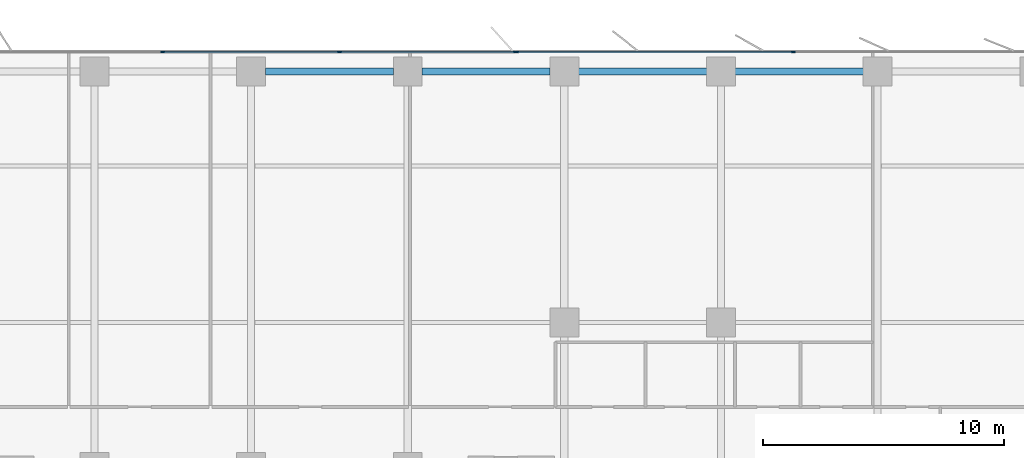
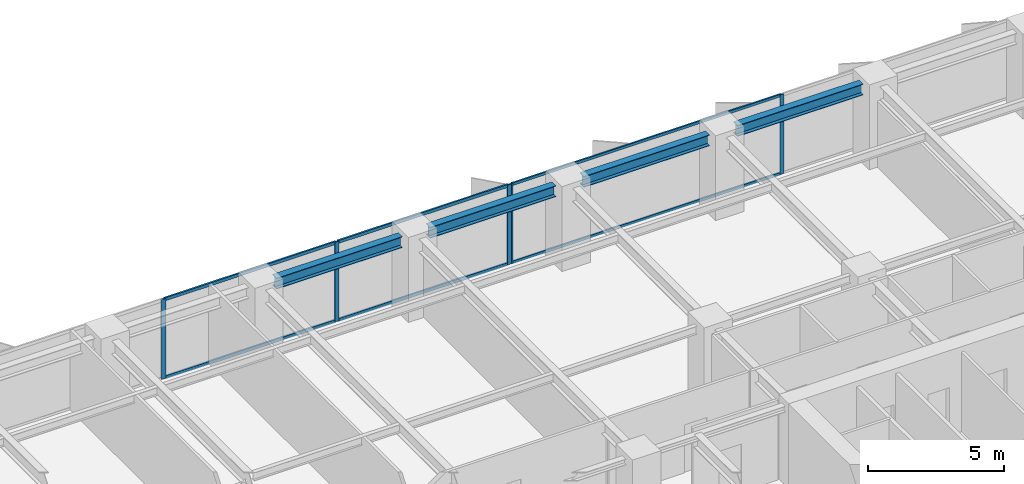
# One storey, part 9 of 20: 11 members, 4 beams, 2 elements without a shape of their own.
"""IFC4 building model written with IfcOpenShell, lengths in metres."""

from ifc_helpers import new_model, si_unit, direction, frame, origin, origin_2d, place, context, subcontext, project, spatial, rectangle, i_section, extrude, material, layer, layer_set, material_profile, profile_set, type_object, element, aggregate, save


model = new_model("IFC4")

# Units and contexts
model_context = context("Model", 3, precision=1e-05, world=origin(), true_north=direction((0.0, 1.0)))
body_context = subcontext(model_context, "Body", "Model", "MODEL_VIEW")
ifc_project = project(units=[si_unit("LENGTHUNIT", "METRE"), si_unit("AREAUNIT", "SQUARE_METRE"), si_unit("VOLUMEUNIT", "CUBIC_METRE"), si_unit("PLANEANGLEUNIT", "RADIAN"), si_unit("MASSUNIT", "GRAM", prefix="KILO")], contexts=[model_context])

# Site, building, storey
site_placement = place(None, origin())
site = spatial("IfcSite", under=ifc_project, at=site_placement, CompositionType="ELEMENT")
building_placement = place(site_placement, origin())
building = spatial("IfcBuilding", under=site, at=building_placement, Name="Putna Gate Headquarters", CompositionType="ELEMENT")
storey_placement = place(building_placement, frame((0.0, 0.0, 131.60009765625)))
storey = spatial("IfcBuildingStorey", under=building, at=storey_placement, Name="L32", CompositionType="ELEMENT", Elevation=131.60009765625)

# Beams
ifc_material_1 = material(Name="Steel S355J2", Category="steel")
ifc_material_profile_1 = material_profile(ifc_material_1, i_section(OverallWidth=0.300048828125, OverallDepth=0.489990234375, WebThickness=0.011962890625, FlangeThickness=0.02294921875, at=origin_2d()), Name="Steel S355J2")
ifc_profile_set_1 = profile_set([ifc_material_profile_1], Name="Steel S355J2")
beam_type = type_object("IfcBeamType", Name="BM-SPAN-Z2-HEA500", PredefinedType="SPANDREL", material=ifc_profile_set_1)
for number, where, z_axis, x_axis, name in (
    (1, (39.587890625, 49.419921875, 3.31982421875), (1.0, 0.0, 0.0), (0.0, 1.0, 0.0), "L32 N Perimeter Spandrel 6"),
    (2, (46.087890625, 49.419921875, 3.31982421875), (1.0, 0.0, 0.0), (0.0, 1.0, 0.0), "L32 N Perimeter Spandrel 7"),
    (3, (52.587890625, 49.419921875, 3.31982421875), (1.0, 0.0, 0.0), (0.0, 1.0, 0.0), "L32 N Perimeter Spandrel 8"),
    (4, (59.087890625, 49.419921875, 3.31982421875), (1.0, 0.0, 0.0), (0.0, 1.0, 0.0), "L32 N Perimeter Spandrel 9"),
):
    element("IfcBeam", number, at=place(storey_placement, frame(where, z_axis=z_axis, x_axis=x_axis)), inside=storey, type_object=beam_type, Name=name, PredefinedType="SPANDREL", context=body_context, shape_type="SweptSolid", body=[
        extrude(i_section(OverallWidth=0.300048828125, OverallDepth=0.489990234375, WebThickness=0.011962890625, FlangeThickness=0.02294921875, at=origin_2d()), origin(), (0.0, 0.0, 1.0), 5.32421875),
    ])

# Curtain wall, members
ifc_material_2 = material(Name="Anodised bronze aluminium curtain wall", Category="aluminium")
ifc_layer_1 = layer(ifc_material_2, 0.159912109375)
ifc_layer_set_1 = layer_set([ifc_layer_1], Name="Anodised bronze aluminium curtain wall")
curtain_wall_type_1 = type_object("IfcCurtainWallType", Name="CW-SYS-Z2", PredefinedType="USERDEFINED", material=ifc_layer_set_1)
curtain_wall_1_placement = place(storey_placement, origin())
curtain_wall_1 = element("IfcCurtainWall", 5, at=curtain_wall_1_placement, inside=storey, type_object=curtain_wall_type_1, Name="L32 North East Curtain Wall", ObjectType="STICK CURTAIN WALL", PredefinedType="USERDEFINED")
ifc_material_3 = material(Name="Anodised bronze aluminium EN AW-6060", Category="aluminium")
ifc_material_profile_2 = material_profile(ifc_material_3, rectangle(XDim=0.06494140625, YDim=0.159912109375, at=origin_2d()), Name="Anodised bronze aluminium EN AW-6060")
ifc_profile_set_2 = profile_set([ifc_material_profile_2], Name="Anodised bronze aluminium EN AW-6060")
member_type_1 = type_object("IfcMemberType", Name="MULL-CWM-2", PredefinedType="MULLION", material=ifc_profile_set_2)
member_1_placement = place(storey_placement, frame((50.032470703125, 50.219970703125, 0.0), z_axis=(0.0, 0.0, 1.0), x_axis=(0.0, 1.0, 0.0)))
member_1 = element("IfcMember", 6, at=member_1_placement, type_object=member_type_1, Name="CWS-2 mullion 1", PredefinedType="MULLION", context=body_context, shape_type="SweptSolid", body=[
    extrude(rectangle(XDim=0.06494140625, YDim=0.159912109375, at=origin_2d()), origin(), (0.0, 0.0, 1.0), 3.56494140625),
])
member_2_placement = place(storey_placement, frame((61.5, 50.219970703125, 0.0), z_axis=(0.0, 0.0, 1.0), x_axis=(0.0, 1.0, 0.0)))
member_2 = element("IfcMember", 7, at=member_2_placement, type_object=member_type_1, Name="CWS-2 mullion 2", PredefinedType="MULLION", context=body_context, shape_type="SweptSolid", body=[
    extrude(rectangle(XDim=0.06494140625, YDim=0.159912109375, at=origin_2d()), origin(), (0.0, 0.0, 1.0), 3.56494140625),
])

ifc_layer_2 = layer(ifc_material_2, 0.179931640625)
ifc_layer_set_2 = layer_set([ifc_layer_2], Name="Anodised bronze aluminium curtain wall")
curtain_wall_type_2 = type_object("IfcCurtainWallType", Name="CW-SYS-ATR", PredefinedType="USERDEFINED", material=ifc_layer_set_2)
curtain_wall_2_placement = place(storey_placement, origin())
curtain_wall_2 = element("IfcCurtainWall", 8, at=curtain_wall_2_placement, inside=storey, type_object=curtain_wall_type_2, Name="L32 North Atrium Clear Glazing", ObjectType="ATRIUM GLAZING", PredefinedType="USERDEFINED")
ifc_material_profile_3 = material_profile(ifc_material_3, rectangle(XDim=0.070068359375, YDim=0.179931640625, at=origin_2d()), Name="Anodised bronze aluminium EN AW-6060")
ifc_profile_set_3 = profile_set([ifc_material_profile_3], Name="Anodised bronze aluminium EN AW-6060")
member_type_2 = type_object("IfcMemberType", Name="MULL-CWM-AT", PredefinedType="MULLION", material=ifc_profile_set_3)
member_3_placement = place(storey_placement, frame((35.333251953125, 50.219970703125, 0.0), z_axis=(0.0, 0.0, 1.0), x_axis=(0.0, 1.0, 0.0)))
member_3 = element("IfcMember", 9, at=member_3_placement, type_object=member_type_2, Name="CWS-AT mullion 2", PredefinedType="MULLION", context=body_context, shape_type="SweptSolid", body=[
    extrude(rectangle(XDim=0.070068359375, YDim=0.179931640625, at=origin_2d()), origin(), (0.0, 0.0, 1.0), 3.56494140625),
])
member_4_placement = place(storey_placement, frame((42.666748046875, 50.219970703125, 0.0), z_axis=(0.0, 0.0, 1.0), x_axis=(0.0, 1.0, 0.0)))
member_4 = element("IfcMember", 10, at=member_4_placement, type_object=member_type_2, Name="CWS-AT mullion 3", PredefinedType="MULLION", context=body_context, shape_type="SweptSolid", body=[
    extrude(rectangle(XDim=0.070068359375, YDim=0.179931640625, at=origin_2d()), origin(), (0.0, 0.0, 1.0), 3.56494140625),
])
member_5_placement = place(storey_placement, frame((49.965087890625, 50.219970703125, 0.0), z_axis=(0.0, 0.0, 1.0), x_axis=(0.0, 1.0, 0.0)))
member_5 = element("IfcMember", 11, at=member_5_placement, type_object=member_type_2, Name="CWS-AT mullion 4", PredefinedType="MULLION", context=body_context, shape_type="SweptSolid", body=[
    extrude(rectangle(XDim=0.070068359375, YDim=0.179931640625, at=origin_2d()), origin(), (0.0, 0.0, 1.0), 3.56494140625),
])

# Member
ifc_material_profile_4 = material_profile(ifc_material_3, rectangle(XDim=0.06494140625, YDim=0.1201171875, at=origin_2d()), Name="Anodised bronze aluminium EN AW-6060")
ifc_profile_set_4 = profile_set([ifc_material_profile_4], Name="Anodised bronze aluminium EN AW-6060")
member_type_3 = type_object("IfcMemberType", Name="TRAN-CWT-2", PredefinedType="USERDEFINED", material=ifc_profile_set_4)
member_6_placement = place(storey_placement, frame((50.06494140625, 50.219970703125, 0.032470703125), z_axis=(1.0, 0.0, 0.0), x_axis=(0.0, 1.0, 0.0)))
member_6 = element("IfcMember", 12, at=member_6_placement, type_object=member_type_3, Name="CWS-2 transom 1.1", ObjectType="TRANSOM", PredefinedType="USERDEFINED", context=body_context, shape_type="SweptSolid", body=[
    extrude(rectangle(XDim=0.06494140625, YDim=0.1201171875, at=origin_2d()), origin(), (0.0, 0.0, 1.0), 11.402587890625),
])

member_7_placement = place(storey_placement, frame((50.06494140625, 50.219970703125, 3.532470703125), z_axis=(1.0, 0.0, 0.0), x_axis=(0.0, 1.0, 0.0)))
member_7 = element("IfcMember", 13, at=member_7_placement, type_object=member_type_3, Name="CWS-2 transom 1.2", ObjectType="TRANSOM", PredefinedType="USERDEFINED", context=body_context, shape_type="SweptSolid", body=[
    extrude(rectangle(XDim=0.06494140625, YDim=0.1201171875, at=origin_2d()), origin(), (0.0, 0.0, 1.0), 11.402587890625),
])

aggregate(curtain_wall_1, [member_1, member_2, member_6, member_7])

ifc_material_profile_5 = material_profile(ifc_material_3, rectangle(XDim=0.070068359375, YDim=0.139892578125, at=origin_2d()), Name="Anodised bronze aluminium EN AW-6060")
ifc_profile_set_5 = profile_set([ifc_material_profile_5], Name="Anodised bronze aluminium EN AW-6060")
member_type_4 = type_object("IfcMemberType", Name="TRAN-CWT-AT", PredefinedType="USERDEFINED", material=ifc_profile_set_5)
member_8_placement = place(storey_placement, frame((35.368408203125, 50.219970703125, 0.034912109375), z_axis=(1.0, 0.0, 0.0), x_axis=(0.0, 1.0, 0.0)))
member_8 = element("IfcMember", 14, at=member_8_placement, type_object=member_type_4, Name="CWS-AT transom 2.1", ObjectType="TRANSOM", PredefinedType="USERDEFINED", context=body_context, shape_type="SweptSolid", body=[
    extrude(rectangle(XDim=0.070068359375, YDim=0.139892578125, at=origin_2d()), origin(), (0.0, 0.0, 1.0), 7.26318359375),
])

member_9_placement = place(storey_placement, frame((35.368408203125, 50.219970703125, 3.52978515625), z_axis=(1.0, 0.0, 0.0), x_axis=(0.0, 1.0, 0.0)))
member_9 = element("IfcMember", 15, at=member_9_placement, type_object=member_type_4, Name="CWS-AT transom 2.2", ObjectType="TRANSOM", PredefinedType="USERDEFINED", context=body_context, shape_type="SweptSolid", body=[
    extrude(rectangle(XDim=0.070068359375, YDim=0.139892578125, at=origin_2d()), origin(), (0.0, 0.0, 1.0), 7.26318359375),
])

member_10_placement = place(storey_placement, frame((42.70166015625, 50.219970703125, 0.034912109375), z_axis=(1.0, 0.0, 0.0), x_axis=(0.0, 1.0, 0.0)))
member_10 = element("IfcMember", 16, at=member_10_placement, type_object=member_type_4, Name="CWS-AT transom 3.1", ObjectType="TRANSOM", PredefinedType="USERDEFINED", context=body_context, shape_type="SweptSolid", body=[
    extrude(rectangle(XDim=0.070068359375, YDim=0.139892578125, at=origin_2d()), origin(), (0.0, 0.0, 1.0), 7.228271484375),
])

member_11_placement = place(storey_placement, frame((42.70166015625, 50.219970703125, 3.52978515625), z_axis=(1.0, 0.0, 0.0), x_axis=(0.0, 1.0, 0.0)))
member_11 = element("IfcMember", 17, at=member_11_placement, type_object=member_type_4, Name="CWS-AT transom 3.2", ObjectType="TRANSOM", PredefinedType="USERDEFINED", context=body_context, shape_type="SweptSolid", body=[
    extrude(rectangle(XDim=0.070068359375, YDim=0.139892578125, at=origin_2d()), origin(), (0.0, 0.0, 1.0), 7.228271484375),
])

aggregate(curtain_wall_2, [member_3, member_4, member_5, member_8, member_9, member_10, member_11])

save(model, "model.ifc")
